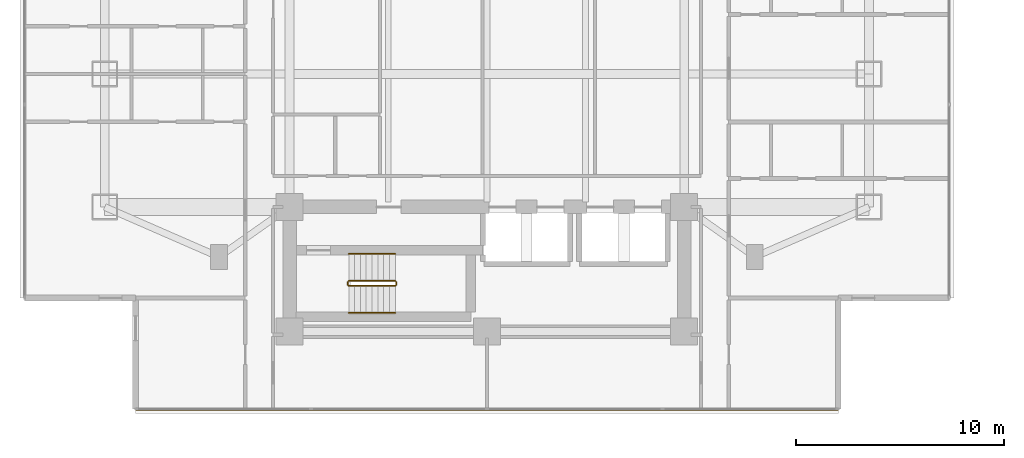
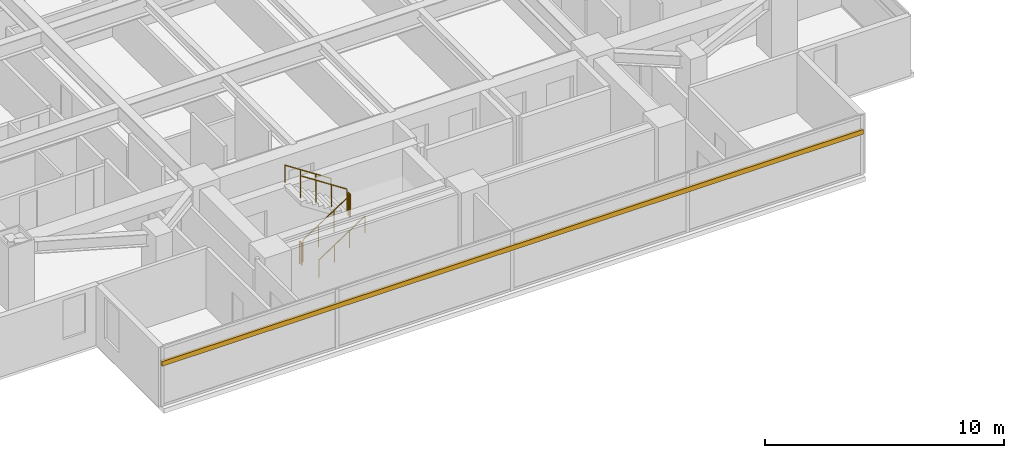
# One storey, part 20 of 24: 6 railings, 1 shading device.
"""IFC4 building model written with IfcOpenShell, lengths in metres."""

from ifc_helpers import new_model, si_unit, direction, frame, origin, origin_2d, place, context, subcontext, project, spatial, rectangle, circle, extrude, material, material_profile, profile_set, type_object, element, save


model = new_model("IFC4")

# Units and contexts
model_context = context("Model", 3, precision=1e-05, world=origin(), true_north=direction((0.0, 1.0)))
body_context = subcontext(model_context, "Body", "Model", "MODEL_VIEW")
ifc_project = project(units=[si_unit("LENGTHUNIT", "METRE"), si_unit("AREAUNIT", "SQUARE_METRE"), si_unit("VOLUMEUNIT", "CUBIC_METRE"), si_unit("PLANEANGLEUNIT", "RADIAN"), si_unit("MASSUNIT", "GRAM", prefix="KILO")], contexts=[model_context])

# Site, building, storey
site_placement = place(None, origin())
site = spatial("IfcSite", under=ifc_project, at=site_placement, CompositionType="ELEMENT")
building_placement = place(site_placement, origin())
building = spatial("IfcBuilding", under=site, at=building_placement, Name="Mirazonda Arch Towers", CompositionType="ELEMENT")
storey_placement = place(building_placement, frame((0.0, 0.0, 71.89990234375)))
storey = spatial("IfcBuildingStorey", under=building, at=storey_placement, Name="L20", CompositionType="ELEMENT", Elevation=71.89990234375)

# Shading device
ifc_material_1 = material(Name="Kiln-Fired Architectural Terracotta", Category="masonry")
ifc_material_profile = material_profile(ifc_material_1, rectangle(XDim=0.1201171875, YDim=0.239990234375, at=origin_2d()), Name="TERRA-BAG-120x240")
ifc_profile_set = profile_set([ifc_material_profile], Name="Kiln-Fired Architectural Terracotta")
shading_device_type = type_object("IfcShadingDeviceType", Name="BAGUETTE-1", PredefinedType="USERDEFINED", material=ifc_profile_set)
shading_device_placement = place(storey_placement, frame((37.419921875, 8.672119140625, 2.18896484375), z_axis=(-1.0, 0.0, 0.0), x_axis=(0.0, -1.0, 0.0)))
element("IfcShadingDevice", 1, at=shading_device_placement, inside=storey, type_object=shading_device_type, Name="L20 Glazed Terracotta Sun-Screen Baguette CW-L20-T1-S", ObjectType="BAGUETTE", PredefinedType="USERDEFINED", context=body_context, shape_type="SweptSolid", body=[
    extrude(rectangle(XDim=0.1201171875, YDim=0.239990234375, at=origin_2d()), origin(), (0.0, 0.0, 1.0), 33.83984375),
])

# Railings
ifc_material_2 = material(Name="Architectural Brushed Steel S355", Category="steel")
railing_type_1 = type_object("IfcRailingType", Name="GUARD-STAIR-1120", PredefinedType="GUARDRAIL", material=ifc_material_2)
railing_1_placement = place(storey_placement, frame((13.85009765625, 14.60009765625, 0.183349609375)))
element("IfcRailing", 2, at=railing_1_placement, inside=storey, type_object=railing_type_1, Name="L20 ST-T1S stair guard 1", PredefinedType="GUARDRAIL", context=body_context, shape_type="SweptSolid", body=[
    extrude(circle(Radius=0.02392578125, at=origin_2d()), frame((0.0, 0.0, 1.1259765625), z_axis=(0.836595146698, 0.0, 0.547821650285), x_axis=(0.0, 1.0, 0.0)), (0.0, 0.0, 1.0), 2.677490234375),
    extrude(circle(Radius=0.02099609375, at=origin_2d()), origin(), (0.0, 0.0, 1.0), 1.101806640625),
    extrude(circle(Radius=0.02099609375, at=origin_2d()), frame((0.74658203125, 0.0, 0.489013671875)), (0.0, 0.0, 1.0), 1.101806640625),
    extrude(circle(Radius=0.02099609375, at=origin_2d()), frame((1.493408203125, 0.0, 0.977783203125)), (0.0, 0.0, 1.0), 1.101806640625),
    extrude(circle(Radius=0.02099609375, at=origin_2d()), frame((2.239990234375, 0.0, 1.466796875)), (0.0, 0.0, 1.0), 1.101806640625),
])
railing_2_placement = place(storey_placement, frame((16.139892578125, 14.64990234375, 1.650146484375)))
element("IfcRailing", 3, at=railing_2_placement, inside=storey, type_object=railing_type_1, Name="L20 ST-T1S stair guard 2", PredefinedType="GUARDRAIL", context=body_context, shape_type="SweptSolid", body=[
    extrude(circle(Radius=0.02392578125, at=origin_2d()), frame((0.0, 0.0, 1.1259765625), z_axis=(0.0, 1.0, 0.0), x_axis=(-1.0, 0.0, 0.0)), (0.0, 0.0, 1.0), 0.14013671875),
    extrude(circle(Radius=0.02099609375, at=origin_2d()), origin(), (0.0, 0.0, 1.0), 1.101806640625),
    extrude(circle(Radius=0.02099609375, at=origin_2d()), frame((0.0, 0.14013671875, 0.0)), (0.0, 0.0, 1.0), 1.101806640625),
])
railing_3_placement = place(storey_placement, frame((16.090087890625, 14.840087890625, 1.83349609375)))
element("IfcRailing", 4, at=railing_3_placement, inside=storey, type_object=railing_type_1, Name="L20 ST-T1S stair guard 3", PredefinedType="GUARDRAIL", context=body_context, shape_type="SweptSolid", body=[
    extrude(circle(Radius=0.02392578125, at=origin_2d()), frame((0.0, 0.0, 1.1259765625), z_axis=(-0.836636935527, 0.0, 0.547757827979), x_axis=(0.0, -1.0, 0.0)), (0.0, 0.0, 1.0), 2.677490234375),
    extrude(circle(Radius=0.02099609375, at=origin_2d()), origin(), (0.0, 0.0, 1.0), 1.101806640625),
    extrude(circle(Radius=0.02099609375, at=origin_2d()), frame((-0.74658203125, 0.0, 0.48876953125)), (0.0, 0.0, 1.0), 1.101806640625),
    extrude(circle(Radius=0.02099609375, at=origin_2d()), frame((-1.493408203125, 0.0, 0.977783203125)), (0.0, 0.0, 1.0), 1.101806640625),
    extrude(circle(Radius=0.02099609375, at=origin_2d()), frame((-2.239990234375, 0.0, 1.466552734375)), (0.0, 0.0, 1.0), 1.101806640625),
])
railing_4_placement = place(storey_placement, frame((13.800048828125, 14.64990234375, 0.0)))
element("IfcRailing", 5, at=railing_4_placement, inside=storey, type_object=railing_type_1, Name="L20 ST-T1S stair guard 4", PredefinedType="GUARDRAIL", context=body_context, shape_type="SweptSolid", body=[
    extrude(circle(Radius=0.02392578125, at=origin_2d()), frame((0.0, 0.0, 1.1259765625), z_axis=(0.0, 1.0, 0.0), x_axis=(-1.0, 0.0, 0.0)), (0.0, 0.0, 1.0), 0.14013671875),
    extrude(circle(Radius=0.02099609375, at=origin_2d()), origin(), (0.0, 0.0, 1.0), 1.101806640625),
    extrude(circle(Radius=0.02099609375, at=origin_2d()), frame((0.0, 0.14013671875, 0.0)), (0.0, 0.0, 1.0), 1.101806640625),
])
railing_type_2 = type_object("IfcRailingType", Name="HANDRAIL-915", PredefinedType="HANDRAIL", material=ifc_material_2)
railing_5_placement = place(storey_placement, frame((13.85009765625, 13.300048828125, 0.183349609375)))
element("IfcRailing", 6, at=railing_5_placement, inside=storey, type_object=railing_type_2, Name="L20 ST-T1S stair handrail 1", PredefinedType="HANDRAIL", context=body_context, shape_type="SweptSolid", body=[
    extrude(circle(Radius=0.02392578125, at=origin_2d()), frame((0.0, 0.0, 0.8759765625), z_axis=(0.836595146698, 0.0, 0.547821650285), x_axis=(0.0, 1.0, 0.0)), (0.0, 0.0, 1.0), 2.677490234375),
    extrude(circle(Radius=0.02099609375, at=origin_2d()), origin(), (0.0, 0.0, 1.0), 0.851806640625),
    extrude(circle(Radius=0.02099609375, at=origin_2d()), frame((0.74658203125, 0.0, 0.489013671875)), (0.0, 0.0, 1.0), 0.851806640625),
    extrude(circle(Radius=0.02099609375, at=origin_2d()), frame((1.493408203125, 0.0, 0.977783203125)), (0.0, 0.0, 1.0), 0.851806640625),
    extrude(circle(Radius=0.02099609375, at=origin_2d()), frame((2.239990234375, 0.0, 1.466796875)), (0.0, 0.0, 1.0), 0.851806640625),
])
railing_6_placement = place(storey_placement, frame((16.090087890625, 16.139892578125, 1.83349609375)))
element("IfcRailing", 7, at=railing_6_placement, inside=storey, type_object=railing_type_2, Name="L20 ST-T1S stair handrail 2", PredefinedType="HANDRAIL", context=body_context, shape_type="SweptSolid", body=[
    extrude(circle(Radius=0.02392578125, at=origin_2d()), frame((0.0, 0.0, 0.8759765625), z_axis=(-0.836636935527, 0.0, 0.547757827979), x_axis=(0.0, -1.0, 0.0)), (0.0, 0.0, 1.0), 2.677490234375),
    extrude(circle(Radius=0.02099609375, at=origin_2d()), origin(), (0.0, 0.0, 1.0), 0.851806640625),
    extrude(circle(Radius=0.02099609375, at=origin_2d()), frame((-0.74658203125, 0.0, 0.48876953125)), (0.0, 0.0, 1.0), 0.851806640625),
    extrude(circle(Radius=0.02099609375, at=origin_2d()), frame((-1.493408203125, 0.0, 0.977783203125)), (0.0, 0.0, 1.0), 0.851806640625),
    extrude(circle(Radius=0.02099609375, at=origin_2d()), frame((-2.239990234375, 0.0, 1.466552734375)), (0.0, 0.0, 1.0), 0.851806640625),
])

save(model, "model.ifc")
